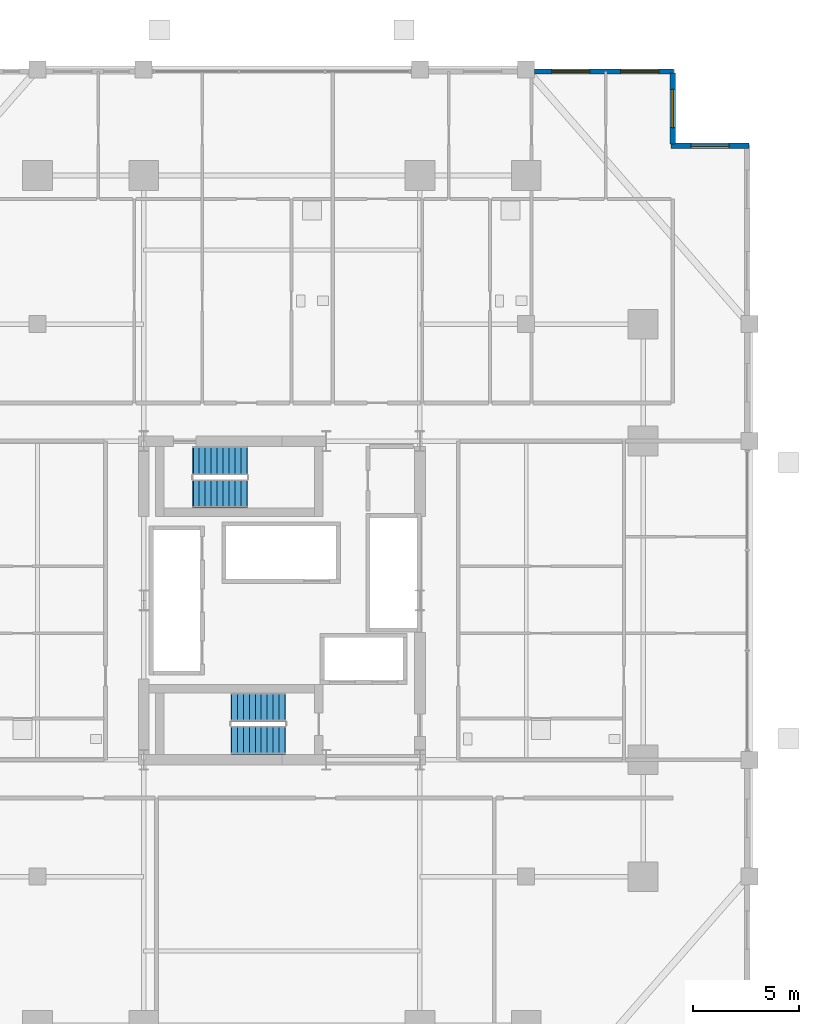
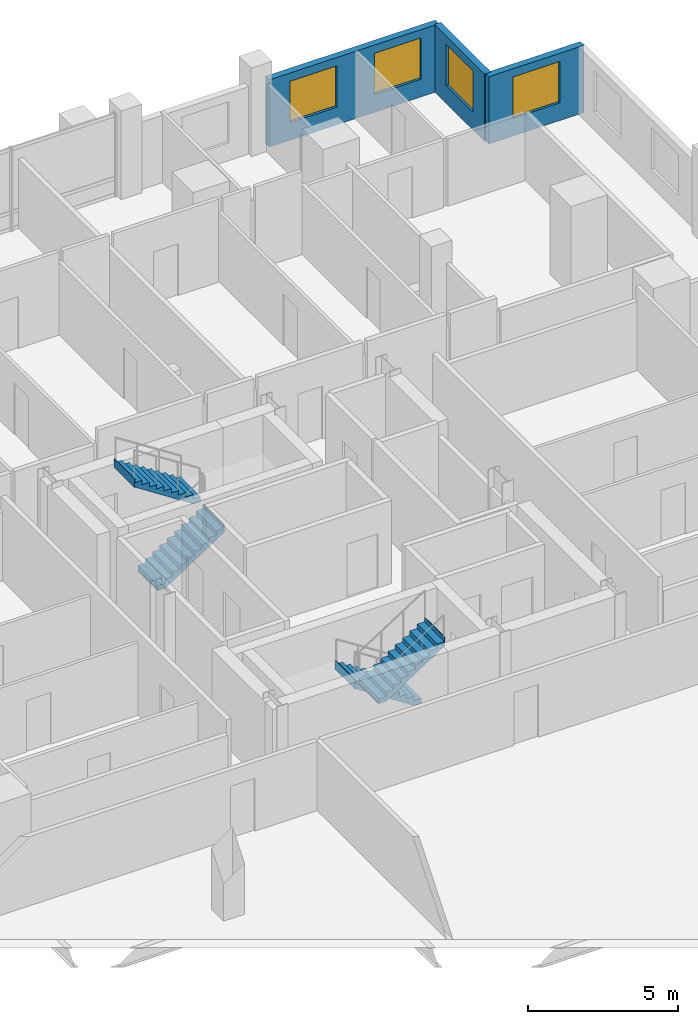
# One storey, part 21 of 23: 4 stair flights, 4 windows, 3 walls, 4 openings, 2 elements without a shape of their own.
"""IFC4 building model written with IfcOpenShell, lengths in metres."""

from ifc_helpers import new_model, si_unit, direction, frame, frame_2d, origin, place, context, subcontext, project, spatial, polyline, rectangle, outline, extrude, material, layer, layer_set, type_object, element, fill, aggregate, save


model = new_model("IFC4")

# Units and contexts
model_context = context("Model", 3, precision=1e-05, world=origin(), true_north=direction((0.0, 1.0)))
body_context = subcontext(model_context, "Body", "Model", "MODEL_VIEW")
ifc_project = project(units=[si_unit("LENGTHUNIT", "METRE"), si_unit("AREAUNIT", "SQUARE_METRE"), si_unit("VOLUMEUNIT", "CUBIC_METRE"), si_unit("PLANEANGLEUNIT", "RADIAN"), si_unit("MASSUNIT", "GRAM", prefix="KILO")], contexts=[model_context])

# Site, building, storey
site_placement = place(None, origin())
site = spatial("IfcSite", under=ifc_project, at=site_placement, CompositionType="ELEMENT")
building_placement = place(site_placement, origin())
building = spatial("IfcBuilding", under=site, at=building_placement, Name="Barlavira Tower and Art Museum", CompositionType="ELEMENT")
storey_placement = place(building_placement, frame((0.0, 0.0, 64.800048828125)))
storey = spatial("IfcBuildingStorey", under=building, at=storey_placement, Name="L15", CompositionType="ELEMENT", Elevation=64.800048828125)

# Wall, openings, windows
ifc_material_1 = material(Name="Precast concrete C40", Category="concrete")
ifc_layer = layer(ifc_material_1, 0.25, Name="Precast concrete C40")
ifc_layer_set = layer_set([ifc_layer], Name="Precast concrete C40")
wall_type = type_object("IfcWallType", Name="Notched Corner Spandrel Wall 250 Precast Concrete C40", PredefinedType="SOLIDWALL", material=ifc_layer_set)
wall_1_placement = place(storey_placement, frame((18.425048828125, 24.89990234375, 0.0), z_axis=(0.0, 0.0, 1.0), x_axis=(-1.0, 0.0, 0.0)))
wall_1 = element("IfcWall", 1, at=wall_1_placement, inside=storey, type_object=wall_type, Name="L15 Coastal Facade Pier Wall CW1-L15-N-1", PredefinedType="SOLIDWALL", context=body_context, shape_type="SweptSolid", body=[
    extrude(rectangle(XDim=6.530029296875, YDim=0.25, at=frame_2d((3.26513671875, 0.0))), origin(), (0.0, 0.0, 1.0), 2.73583984375),
])
opening_1_placement = place(wall_1_placement, frame((0.68310546875, 0.0, 0.719970703125)))
opening_1 = element("IfcOpeningElement", 2, at=opening_1_placement, cuts=wall_1, Name="Opening WN-01", PredefinedType="OPENING", context=body_context, shape_type="SweptSolid", body=[
    extrude(rectangle(XDim=1.800048828125, YDim=1.679931640625, at=frame_2d((0.89990234375, 0.83984375))), frame((0.0, 0.135009765625, 0.0), z_axis=(0.0, -1.0, 0.0), x_axis=(1.0, 0.0, 0.0)), (0.0, 0.0, 1.0), 0.27001953125),
])
opening_2_placement = place(wall_1_placement, frame((3.925048828125, 0.0, 0.719970703125)))
opening_2 = element("IfcOpeningElement", 3, at=opening_2_placement, cuts=wall_1, Name="Opening WN-01", PredefinedType="OPENING", context=body_context, shape_type="SweptSolid", body=[
    extrude(rectangle(XDim=1.800048828125, YDim=1.679931640625, at=frame_2d((0.89990234375, 0.83984375))), frame((0.0, 0.135009765625, 0.0), z_axis=(0.0, -1.0, 0.0), x_axis=(1.0, 0.0, 0.0)), (0.0, 0.0, 1.0), 0.27001953125),
])
ifc_material_2 = material(Name="Low-iron coastal laminated glass", Category="glass")
window_type = type_object("IfcWindowType", Name="Recessed Notch Corner Punch Window 1800x1680", PartitioningType="SINGLE_PANEL", PredefinedType="WINDOW", material=ifc_material_2)
window_1_placement = place(opening_1_placement, origin())
window_1 = element("IfcWindow", 4, at=window_1_placement, inside=storey, type_object=window_type, Name="L15 Punched Facade Window EWP-CW1-L15-N-1-1", OverallHeight=1.679931640625, OverallWidth=1.800048828125, PartitioningType="SINGLE_PANEL", PredefinedType="WINDOW", context=body_context, shape_type="SweptSolid", body=[
    extrude(rectangle(XDim=1.800048828125, YDim=1.679931640625, at=frame_2d((0.89990234375, 0.83984375))), frame((0.0, 0.030029296875, 0.0), z_axis=(0.0, -1.0, 0.0), x_axis=(1.0, 0.0, 0.0)), (0.0, 0.0, 1.0), 0.06005859375),
])
fill(opening_1, window_1)
window_2_placement = place(opening_2_placement, origin())
window_2 = element("IfcWindow", 5, at=window_2_placement, inside=storey, type_object=window_type, Name="L15 Punched Facade Window EWP-CW1-L15-N-1-2", OverallHeight=1.679931640625, OverallWidth=1.800048828125, PartitioningType="SINGLE_PANEL", PredefinedType="WINDOW", context=body_context, shape_type="SweptSolid", body=[
    extrude(rectangle(XDim=1.800048828125, YDim=1.679931640625, at=frame_2d((0.89990234375, 0.83984375))), frame((0.0, 0.030029296875, 0.0), z_axis=(0.0, -1.0, 0.0), x_axis=(1.0, 0.0, 0.0)), (0.0, 0.0, 1.0), 0.06005859375),
])
fill(opening_2, window_2)

# Wall, opening, window
wall_2_placement = place(storey_placement, frame((21.97998046875, 21.39990234375, 0.0), z_axis=(0.0, 0.0, 1.0), x_axis=(-1.0, 0.0, 0.0)))
wall_2 = element("IfcWall", 6, at=wall_2_placement, inside=storey, type_object=wall_type, Name="L15 Notch Corner Wall NE1", PredefinedType="SOLIDWALL", context=body_context, shape_type="SweptSolid", body=[
    extrude(rectangle(XDim=3.659912109375, YDim=0.25, at=frame_2d((1.830078125, 0.0))), origin(), (0.0, 0.0, 1.0), 2.73583984375),
])
opening_3_placement = place(wall_2_placement, frame((0.929931640625, 0.0, 0.719970703125)))
opening_3 = element("IfcOpeningElement", 7, at=opening_3_placement, cuts=wall_2, Name="Opening WN-01", PredefinedType="OPENING", context=body_context, shape_type="SweptSolid", body=[
    extrude(rectangle(XDim=1.800048828125, YDim=1.679931640625, at=frame_2d((0.89990234375, 0.83984375))), frame((0.0, 0.135009765625, 0.0), z_axis=(0.0, -1.0, 0.0), x_axis=(1.0, 0.0, 0.0)), (0.0, 0.0, 1.0), 0.27001953125),
])
window_3_placement = place(opening_3_placement, origin())
window_3 = element("IfcWindow", 8, at=window_3_placement, inside=storey, type_object=window_type, Name="L15 Punched Facade Window EW-NTC-L15-NE1-1", OverallHeight=1.679931640625, OverallWidth=1.800048828125, PartitioningType="SINGLE_PANEL", PredefinedType="WINDOW", context=body_context, shape_type="SweptSolid", body=[
    extrude(rectangle(XDim=1.800048828125, YDim=1.679931640625, at=frame_2d((0.89990234375, 0.83984375))), frame((0.0, 0.030029296875, 0.0), z_axis=(0.0, -1.0, 0.0), x_axis=(1.0, 0.0, 0.0)), (0.0, 0.0, 1.0), 0.06005859375),
])
fill(opening_3, window_3)

wall_3_placement = place(storey_placement, frame((18.39990234375, 21.47998046875, 0.0), z_axis=(0.0, 0.0, 1.0), x_axis=(0.0, 1.0, 0.0)))
wall_3 = element("IfcWall", 9, at=wall_3_placement, inside=storey, type_object=wall_type, Name="L15 Notch Corner Wall NE2", PredefinedType="SOLIDWALL", context=body_context, shape_type="SweptSolid", body=[
    extrude(rectangle(XDim=3.340087890625, YDim=0.25, at=frame_2d((1.669921875, 0.0))), origin(), (0.0, 0.0, 1.0), 2.73583984375),
])
opening_4_placement = place(wall_3_placement, frame((0.77001953125, 0.0, 0.719970703125)))
opening_4 = element("IfcOpeningElement", 10, at=opening_4_placement, cuts=wall_3, Name="Opening WN-01", PredefinedType="OPENING", context=body_context, shape_type="SweptSolid", body=[
    extrude(rectangle(XDim=1.800048828125, YDim=1.679931640625, at=frame_2d((0.89990234375, 0.83984375))), frame((0.0, 0.135009765625, 0.0), z_axis=(0.0, -1.0, 0.0), x_axis=(1.0, 0.0, 0.0)), (0.0, 0.0, 1.0), 0.27001953125),
])
window_4_placement = place(opening_4_placement, origin())
window_4 = element("IfcWindow", 11, at=window_4_placement, inside=storey, type_object=window_type, Name="L15 Punched Facade Window EW-NTC-L15-NE2-1", OverallHeight=1.679931640625, OverallWidth=1.800048828125, PartitioningType="SINGLE_PANEL", PredefinedType="WINDOW", context=body_context, shape_type="SweptSolid", body=[
    extrude(rectangle(XDim=1.800048828125, YDim=1.679931640625, at=frame_2d((0.89990234375, 0.83984375))), frame((0.0, 0.030029296875, 0.0), z_axis=(0.0, -1.0, 0.0), x_axis=(1.0, 0.0, 0.0)), (0.0, 0.0, 1.0), 0.06005859375),
])
fill(opening_4, window_4)

# Stair, stair flights
ifc_material_3 = material(Name="Concrete C45", Category="concrete")
stair_type_1 = type_object("IfcStairType", Name="Tower North Dog-Leg Exit Stair Assembly Concrete C45", PredefinedType="TWO_QUARTER_TURN_STAIR", material=ifc_material_3)
stair_1_placement = place(storey_placement, origin())
stair_1 = element("IfcStair", 12, at=stair_1_placement, inside=storey, type_object=stair_type_1, Name="L15 Tower North Exit Stair ST-T2", PredefinedType="TWO_QUARTER_TURN_STAIR")
ifc_material_4 = material(Name="Precast concrete C45", Category="concrete")
stair_flight_type_1 = type_object("IfcStairFlightType", Name="Tower North Dog-Leg Exit Stair Precast Flight 1350 Concrete C45", PredefinedType="STRAIGHT", material=ifc_material_4)
stair_flight_1_placement = place(storey_placement, frame((-4.169921875, 5.02490234375, 0.0), z_axis=(0.0, 0.0, 1.0), x_axis=(1.0, 0.0, 0.0)))
stair_flight_1 = element("IfcStairFlight", 13, at=stair_flight_1_placement, type_object=stair_flight_type_1, Name="ST-T2 flight 1", NumberOfRisers=10, NumberOfTreads=9, PredefinedType="STRAIGHT", RiserHeight=0.18, TreadLength=0.28, context=body_context, shape_type="SweptSolid", body=[
    extrude(outline(polyline([(-0.02490234375, 0.0), (0.0, 0.0), (0.0, 0.179931640625), (0.280029296875, 0.179931640625), (0.280029296875, 0.360107421875), (0.56005859375, 0.360107421875), (0.56005859375, 0.5400390625), (0.840087890625, 0.5400390625), (0.840087890625, 0.719970703125), (1.1201171875, 0.719970703125), (1.1201171875, 0.89990234375), (1.39990234375, 0.89990234375), (1.39990234375, 1.080078125), (1.679931640625, 1.080078125), (1.679931640625, 1.260009765625), (1.9599609375, 1.260009765625), (1.9599609375, 1.43994140625), (2.239990234375, 1.43994140625), (2.239990234375, 1.6201171875), (2.52001953125, 1.6201171875), (2.52001953125, 1.800048828125), (2.544921875, 1.800048828125), (2.544921875, 1.44189453125), (2.52001953125, 1.44189453125), (0.277099609375, -0.02490234375), (-0.02490234375, -0.02490234375), (-0.02490234375, 0.0)])), frame((0.0, 0.675048828125, 0.0), z_axis=(0.0, -1.0, 0.0), x_axis=(1.0, 0.0, 0.0)), (0.0, 0.0, 1.0), 1.35009765625),
])
stair_flight_2_placement = place(storey_placement, frame((-1.64990234375, 6.574951171875, 1.800048828125), z_axis=(0.0, 0.0, 1.0), x_axis=(-1.0, 0.0, 0.0)))
stair_flight_2 = element("IfcStairFlight", 14, at=stair_flight_2_placement, type_object=stair_flight_type_1, Name="ST-T2 flight 2", NumberOfRisers=10, NumberOfTreads=9, PredefinedType="STRAIGHT", RiserHeight=0.18, TreadLength=0.28, context=body_context, shape_type="SweptSolid", body=[
    extrude(outline(polyline([(-0.02490234375, 0.0), (0.0, 0.0), (0.0, 0.179931640625), (0.280029296875, 0.179931640625), (0.280029296875, 0.360107421875), (0.56005859375, 0.360107421875), (0.56005859375, 0.5400390625), (0.840087890625, 0.5400390625), (0.840087890625, 0.719970703125), (1.1201171875, 0.719970703125), (1.1201171875, 0.89990234375), (1.39990234375, 0.89990234375), (1.39990234375, 1.080078125), (1.679931640625, 1.080078125), (1.679931640625, 1.260009765625), (1.9599609375, 1.260009765625), (1.9599609375, 1.43994140625), (2.239990234375, 1.43994140625), (2.239990234375, 1.6201171875), (2.52001953125, 1.6201171875), (2.52001953125, 1.800048828125), (2.544921875, 1.800048828125), (2.544921875, 1.44189453125), (2.52001953125, 1.44189453125), (0.277099609375, -0.02490234375), (-0.02490234375, -0.02490234375), (-0.02490234375, 0.0)])), frame((0.0, 0.675048828125, 0.0), z_axis=(0.0, -1.0, 0.0), x_axis=(1.0, 0.0, 0.0)), (0.0, 0.0, 1.0), 1.35009765625),
])
aggregate(stair_1, [stair_flight_1, stair_flight_2])

stair_type_2 = type_object("IfcStairType", Name="Tower South Dog-Leg Exit Stair Assembly Concrete C45", PredefinedType="TWO_QUARTER_TURN_STAIR", material=ifc_material_3)
stair_2_placement = place(storey_placement, origin())
stair_2 = element("IfcStair", 15, at=stair_2_placement, inside=storey, type_object=stair_type_2, Name="L15 Tower South Exit Stair ST-T1", PredefinedType="TWO_QUARTER_TURN_STAIR")
stair_flight_type_2 = type_object("IfcStairFlightType", Name="Tower South Dog-Leg Exit Stair Precast Flight 1350 Concrete C45", PredefinedType="STRAIGHT", material=ifc_material_4)
stair_flight_3_placement = place(storey_placement, frame((0.14990234375, -5.02490234375, 0.0), z_axis=(0.0, 0.0, 1.0), x_axis=(-1.0, 0.0, 0.0)))
stair_flight_3 = element("IfcStairFlight", 16, at=stair_flight_3_placement, type_object=stair_flight_type_2, Name="ST-T1 flight 1", NumberOfRisers=10, NumberOfTreads=9, PredefinedType="STRAIGHT", RiserHeight=0.18, TreadLength=0.28, context=body_context, shape_type="SweptSolid", body=[
    extrude(outline(polyline([(-0.02490234375, 0.0), (0.0, 0.0), (0.0, 0.179931640625), (0.280029296875, 0.179931640625), (0.280029296875, 0.360107421875), (0.56005859375, 0.360107421875), (0.56005859375, 0.5400390625), (0.840087890625, 0.5400390625), (0.840087890625, 0.719970703125), (1.1201171875, 0.719970703125), (1.1201171875, 0.89990234375), (1.39990234375, 0.89990234375), (1.39990234375, 1.080078125), (1.679931640625, 1.080078125), (1.679931640625, 1.260009765625), (1.9599609375, 1.260009765625), (1.9599609375, 1.43994140625), (2.239990234375, 1.43994140625), (2.239990234375, 1.6201171875), (2.52001953125, 1.6201171875), (2.52001953125, 1.800048828125), (2.544921875, 1.800048828125), (2.544921875, 1.44189453125), (2.52001953125, 1.44189453125), (0.277099609375, -0.02490234375), (-0.02490234375, -0.02490234375), (-0.02490234375, 0.0)])), frame((0.0, 0.675048828125, 0.0), z_axis=(0.0, -1.0, 0.0), x_axis=(1.0, 0.0, 0.0)), (0.0, 0.0, 1.0), 1.35009765625),
])
stair_flight_4_placement = place(storey_placement, frame((-2.3701171875, -6.574951171875, 1.800048828125), z_axis=(0.0, 0.0, 1.0), x_axis=(1.0, 0.0, 0.0)))
stair_flight_4 = element("IfcStairFlight", 17, at=stair_flight_4_placement, type_object=stair_flight_type_2, Name="ST-T1 flight 2", NumberOfRisers=10, NumberOfTreads=9, PredefinedType="STRAIGHT", RiserHeight=0.18, TreadLength=0.28, context=body_context, shape_type="SweptSolid", body=[
    extrude(outline(polyline([(-0.02490234375, 0.0), (0.0, 0.0), (0.0, 0.179931640625), (0.280029296875, 0.179931640625), (0.280029296875, 0.360107421875), (0.56005859375, 0.360107421875), (0.56005859375, 0.5400390625), (0.840087890625, 0.5400390625), (0.840087890625, 0.719970703125), (1.1201171875, 0.719970703125), (1.1201171875, 0.89990234375), (1.39990234375, 0.89990234375), (1.39990234375, 1.080078125), (1.679931640625, 1.080078125), (1.679931640625, 1.260009765625), (1.9599609375, 1.260009765625), (1.9599609375, 1.43994140625), (2.239990234375, 1.43994140625), (2.239990234375, 1.6201171875), (2.52001953125, 1.6201171875), (2.52001953125, 1.800048828125), (2.544921875, 1.800048828125), (2.544921875, 1.44189453125), (2.52001953125, 1.44189453125), (0.277099609375, -0.02490234375), (-0.02490234375, -0.02490234375), (-0.02490234375, 0.0)])), frame((0.0, 0.675048828125, 0.0), z_axis=(0.0, -1.0, 0.0), x_axis=(1.0, 0.0, 0.0)), (0.0, 0.0, 1.0), 1.35009765625),
])
aggregate(stair_2, [stair_flight_3, stair_flight_4])

save(model, "model.ifc")
